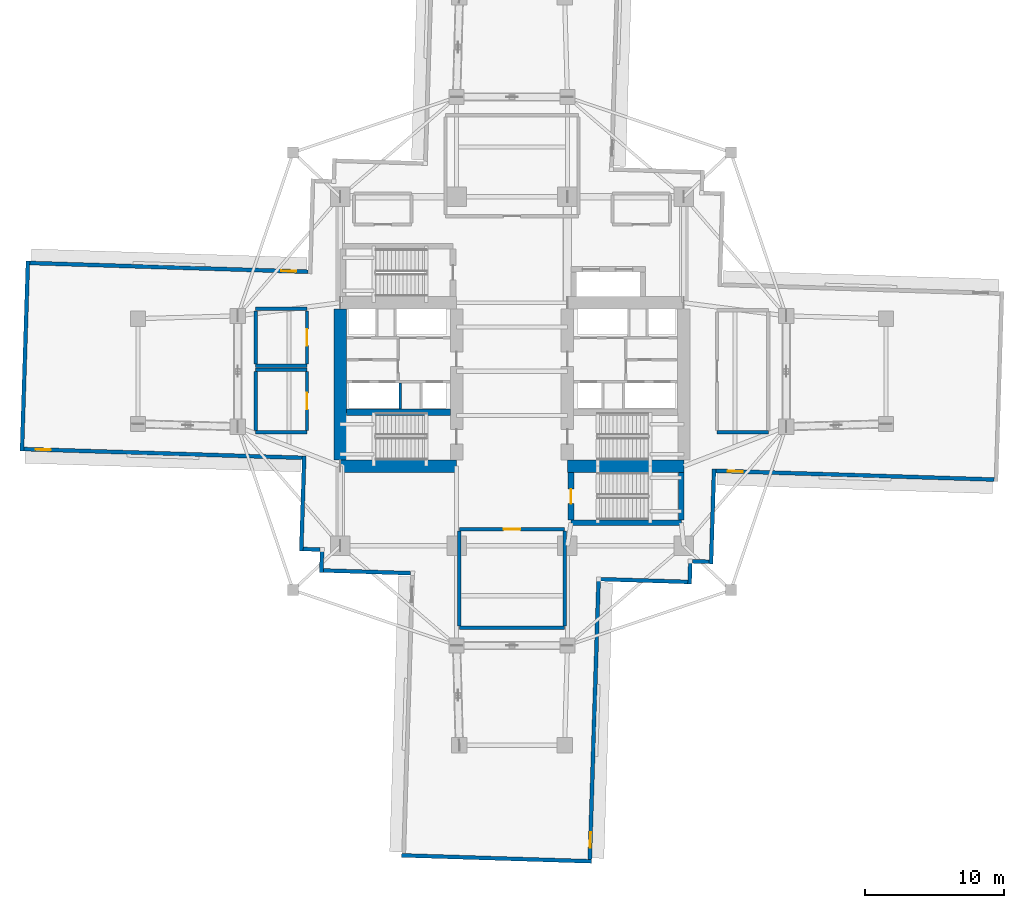
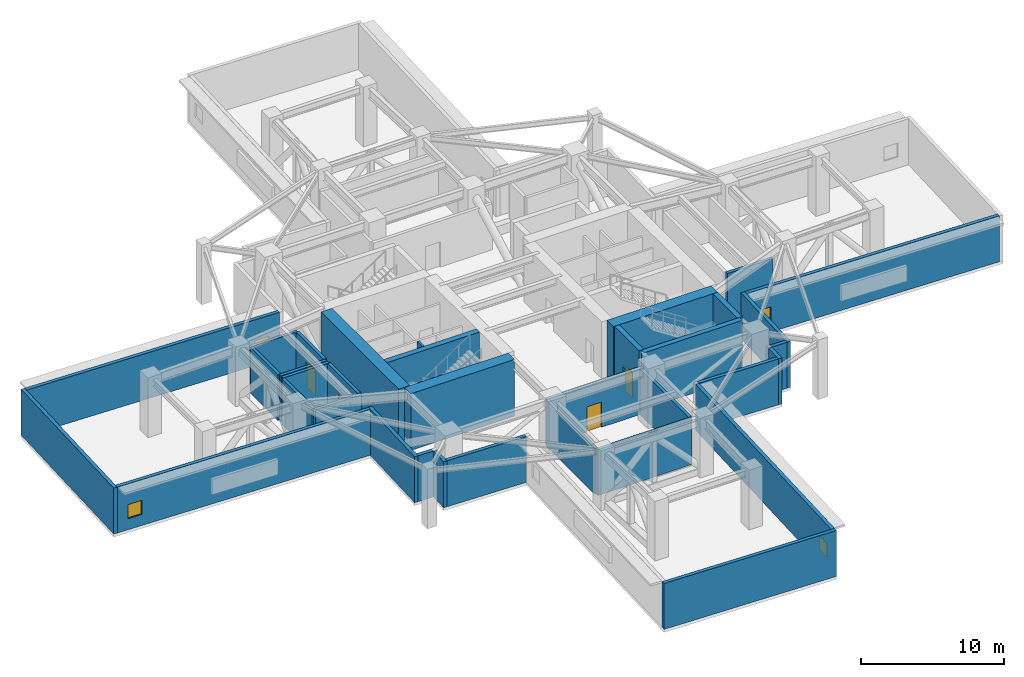
# One storey, part 9 of 17: 35 walls, 4 doors, 4 windows, 8 openings.
"""IFC4 building model written with IfcOpenShell, lengths in metres."""

from ifc_helpers import new_model, si_unit, direction, frame, frame_2d, origin, place, context, subcontext, project, spatial, rectangle, extrude, material, layer, layer_set, type_object, element, fill, save


model = new_model("IFC4")

# Units and contexts
model_context = context("Model", 3, precision=1e-05, world=origin(), true_north=direction((0.0, 1.0)))
body_context = subcontext(model_context, "Body", "Model", "MODEL_VIEW")
ifc_project = project(units=[si_unit("LENGTHUNIT", "METRE"), si_unit("AREAUNIT", "SQUARE_METRE"), si_unit("VOLUMEUNIT", "CUBIC_METRE"), si_unit("PLANEANGLEUNIT", "RADIAN"), si_unit("MASSUNIT", "GRAM", prefix="KILO")], contexts=[model_context])

# Site, building, storey
site_placement = place(None, origin())
site = spatial("IfcSite", under=ifc_project, at=site_placement, CompositionType="ELEMENT")
building_placement = place(site_placement, origin())
building = spatial("IfcBuilding", under=site, at=building_placement, Name="Qingluan Cross Belvedere", CompositionType="ELEMENT")
storey_placement = place(building_placement, frame((0.0, 0.0, 95.10009765625)))
storey = spatial("IfcBuildingStorey", under=building, at=storey_placement, Name="L24", CompositionType="ELEMENT", Elevation=95.10009765625)

# Walls
ifc_material_1 = material(Name="Concrete C50", Category="concrete")
ifc_layer_1 = layer(ifc_material_1, 0.449951171875, Name="CoreShearWall_450")
ifc_layer_set_1 = layer_set([ifc_layer_1], Name="Concrete C50")
wall_type_1 = type_object("IfcWallType", Name="CoreShearWall_450", PredefinedType="SHEAR", material=ifc_layer_set_1)
wall_1_placement = place(storey_placement, frame((-11.945068359375, -2.9599609375, 0.0), z_axis=(0.0, 0.0, 1.0), x_axis=(1.0, 0.0, 0.0)))
element("IfcWall", 1, at=wall_1_placement, inside=storey, type_object=wall_type_1, Name="Split core W shear wall L24-M", PredefinedType="SHEAR", context=body_context, shape_type="SweptSolid", body=[
    extrude(rectangle(XDim=7.489990234375, YDim=0.449951171875, at=frame_2d((3.7451171875, 0.0))), origin(), (0.0, 0.0, 1.0), 4.849853515625),
])
wall_2_placement = place(storey_placement, frame((4.260009765625, -10.93994140625, 0.0), z_axis=(0.0, 0.0, 1.0), x_axis=(1.0, 0.0, 0.0)))
element("IfcWall", 2, at=wall_2_placement, inside=storey, type_object=wall_type_1, Name="Stair ST4 structural wall S L24", PredefinedType="SHEAR", context=body_context, shape_type="SweptSolid", body=[
    extrude(rectangle(XDim=7.9599609375, YDim=0.39990234375, at=frame_2d((3.97998046875, 0.0))), origin(), (0.0, 0.0, 1.0), 4.849853515625),
])

# Wall, opening, door
wall_3_placement = place(storey_placement, frame((4.260009765625, -10.735107421875, 0.0), z_axis=(0.0, 0.0, 1.0), x_axis=(0.0, 1.0, 0.0)))
wall_3 = element("IfcWall", 3, at=wall_3_placement, inside=storey, type_object=wall_type_1, Name="Stair ST4 structural wall W L24", PredefinedType="SHEAR", context=body_context, shape_type="SweptSolid", body=[
    extrude(rectangle(XDim=3.43017578125, YDim=0.39990234375, at=frame_2d((1.715087890625, 0.0))), origin(), (0.0, 0.0, 1.0), 4.849853515625),
])
opening_1_placement = place(wall_3_placement, frame((1.18505859375, 0.0, 0.0)))
opening_1 = element("IfcOpeningElement", 4, at=opening_1_placement, cuts=wall_3, Name="Opening FD-B11", PredefinedType="OPENING", context=body_context, shape_type="SweptSolid", body=[
    extrude(rectangle(XDim=1.050048828125, YDim=2.14990234375, at=frame_2d((0.52490234375, 1.074951171875))), frame((0.0, 0.2099609375, 0.0), z_axis=(0.0, -1.0, 0.0), x_axis=(1.0, 0.0, 0.0)), (0.0, 0.0, 1.0), 0.419921875),
])
ifc_material_2 = material(Name="Steel Class B smoke-seal fire door", Category="steel")
door_type_1 = type_object("IfcDoorType", Name="StairLobbyFireDoor_FDB", OperationType="NOTDEFINED", PredefinedType="DOOR", material=ifc_material_2)
door_1_placement = place(opening_1_placement, origin())
door_1 = element("IfcDoor", 5, at=door_1_placement, inside=storey, type_object=door_type_1, Name="Smoke-proof stair ST4 fire door L24", OperationType="SINGLE_SWING_LEFT", OverallHeight=2.14990234375, OverallWidth=1.050048828125, PredefinedType="DOOR", context=body_context, shape_type="SweptSolid", body=[
    extrude(rectangle(XDim=1.050048828125, YDim=2.14990234375, at=frame_2d((0.52490234375, 1.074951171875))), frame((0.0, 0.02490234375, 0.0), z_axis=(0.0, -1.0, 0.0), x_axis=(1.0, 0.0, 0.0)), (0.0, 0.0, 1.0), 0.050048828125),
])
fill(opening_1, door_1)

# Walls
wall_4_placement = place(storey_placement, frame((12.219970703125, -10.735107421875, 0.0), z_axis=(0.0, 0.0, 1.0), x_axis=(0.0, 1.0, 0.0)))
element("IfcWall", 6, at=wall_4_placement, inside=storey, type_object=wall_type_1, Name="Stair ST4 structural wall E L24", PredefinedType="SHEAR", context=body_context, shape_type="SweptSolid", body=[
    extrude(rectangle(XDim=3.43017578125, YDim=0.39990234375, at=frame_2d((1.715087890625, 0.0))), origin(), (0.0, 0.0, 1.0), 4.849853515625),
])
ifc_material_3 = material(Name="Concrete C70", Category="concrete")
ifc_layer_2 = layer(ifc_material_3, 0.89990234375, Name="CoreShearWall_900")
ifc_layer_set_2 = layer_set([ifc_layer_2], Name="Concrete C70")
wall_type_2 = type_object("IfcWallType", Name="CoreShearWall_900", PredefinedType="SHEAR", material=ifc_layer_set_2)
wall_5_placement = place(storey_placement, frame((-12.39990234375, -6.85009765625, 0.0), z_axis=(0.0, 0.0, 1.0), x_axis=(1.0, 0.0, 0.0)))
element("IfcWall", 7, at=wall_5_placement, inside=storey, type_object=wall_type_2, Name="Split core W shear wall L24-S", PredefinedType="SHEAR", context=body_context, shape_type="SweptSolid", body=[
    extrude(rectangle(XDim=8.39990234375, YDim=0.89990234375, at=frame_2d((4.199951171875, 0.0))), origin(), (0.0, 0.0, 1.0), 4.849853515625),
])
wall_6_placement = place(storey_placement, frame((-12.39990234375, -6.39501953125, 0.0), z_axis=(0.0, 0.0, 1.0), x_axis=(0.0, 1.0, 0.0)))
element("IfcWall", 8, at=wall_6_placement, inside=storey, type_object=wall_type_2, Name="Split core W shear wall L24-W", PredefinedType="SHEAR", context=body_context, shape_type="SweptSolid", body=[
    extrude(rectangle(XDim=10.89013671875, YDim=0.89990234375, at=frame_2d((5.445068359375, 0.0))), origin(), (0.0, 0.0, 1.0), 4.849853515625),
])
wall_7_placement = place(storey_placement, frame((4.0, -6.85009765625, 0.0), z_axis=(0.0, 0.0, 1.0), x_axis=(1.0, 0.0, 0.0)))
element("IfcWall", 9, at=wall_7_placement, inside=storey, type_object=wall_type_2, Name="Split core E shear wall L24-S", PredefinedType="SHEAR", context=body_context, shape_type="SweptSolid", body=[
    extrude(rectangle(XDim=8.39990234375, YDim=0.89990234375, at=frame_2d((4.199951171875, 0.0))), origin(), (0.0, 0.0, 1.0), 4.849853515625),
])
ifc_material_4 = material(Name="Concrete C40", Category="concrete")
ifc_layer_3 = layer(ifc_material_4, 0.300048828125, Name="FireCompartmentWall_300")
ifc_layer_set_3 = layer_set([ifc_layer_3], Name="Concrete C40")
wall_type_3 = type_object("IfcWallType", Name="FireCompartmentWall_300", PredefinedType="SOLIDWALL", material=ifc_layer_set_3)
wall_8_placement = place(storey_placement, frame((-3.800048828125, -18.5, 0.0), z_axis=(0.0, 0.0, 1.0), x_axis=(1.0, 0.0, 0.0)))
element("IfcWall", 10, at=wall_8_placement, inside=storey, type_object=wall_type_3, Name="Partition L24:refuge_s:S", PredefinedType="SOLIDWALL", context=body_context, shape_type="SweptSolid", body=[
    extrude(rectangle(XDim=7.60009765625, YDim=0.25, at=frame_2d((3.800048828125, 0.0))), origin(), (0.0, 0.0, 1.0), 3.919921875),
])

# Wall, opening, door
wall_9_placement = place(storey_placement, frame((-3.800048828125, -11.39990234375, 0.0), z_axis=(0.0, 0.0, 1.0), x_axis=(1.0, 0.0, 0.0)))
wall_9 = element("IfcWall", 11, at=wall_9_placement, inside=storey, type_object=wall_type_3, Name="Partition L24:refuge_s:N", PredefinedType="SOLIDWALL", context=body_context, shape_type="SweptSolid", body=[
    extrude(rectangle(XDim=7.60009765625, YDim=0.25, at=frame_2d((3.800048828125, 0.0))), origin(), (0.0, 0.0, 1.0), 3.919921875),
])
opening_2_placement = place(wall_9_placement, frame((3.199951171875, 0.0, 0.0)))
opening_2 = element("IfcOpeningElement", 12, at=opening_2_placement, cuts=wall_9, Name="Opening FD-A12", PredefinedType="OPENING", context=body_context, shape_type="SweptSolid", body=[
    extrude(rectangle(XDim=1.199951171875, YDim=2.14990234375, at=frame_2d((0.60009765625, 1.074951171875))), frame((0.0, 0.135009765625, 0.0), z_axis=(0.0, -1.0, 0.0), x_axis=(1.0, 0.0, 0.0)), (0.0, 0.0, 1.0), 0.27001953125),
])
ifc_material_5 = material(Name="Insulated steel Class A fire door", Category="steel")
door_type_2 = type_object("IfcDoorType", Name="RefugeCompartmentDoor_FDA", OperationType="NOTDEFINED", PredefinedType="DOOR", material=ifc_material_5)
door_2_placement = place(opening_2_placement, origin())
door_2 = element("IfcDoor", 13, at=door_2_placement, inside=storey, type_object=door_type_2, Name="Fire refuge area South L24 door", OperationType="SINGLE_SWING_LEFT", OverallHeight=2.14990234375, OverallWidth=1.199951171875, PredefinedType="DOOR", context=body_context, shape_type="SweptSolid", body=[
    extrude(rectangle(XDim=1.199951171875, YDim=2.14990234375, at=frame_2d((0.60009765625, 1.074951171875))), frame((0.0, 0.02490234375, 0.0), z_axis=(0.0, -1.0, 0.0), x_axis=(1.0, 0.0, 0.0)), (0.0, 0.0, 1.0), 0.050048828125),
])
fill(opening_2, door_2)

# Walls
for number, where, z_axis, x_axis, name in (
    (14, (-3.800048828125, -18.3701171875, 0.0), (0.0, 0.0, 1.0), (0.0, 1.0, 0.0), "Partition L24:refuge_s:W"),
    (15, (3.800048828125, -18.3701171875, 0.0), (0.0, 0.0, 1.0), (0.0, 1.0, 0.0), "Partition L24:refuge_s:E"),
):
    element("IfcWall", number, at=place(storey_placement, frame(where, z_axis=z_axis, x_axis=x_axis)), inside=storey, type_object=wall_type_3, Name=name, PredefinedType="SOLIDWALL", context=body_context, shape_type="SweptSolid", body=[
        extrude(rectangle(XDim=6.840087890625, YDim=0.25, at=frame_2d((3.419921875, 0.0))), origin(), (0.0, 0.0, 1.0), 3.919921875),
    ])
for number, where, z_axis, x_axis, name in (
    (16, (14.800048828125, -4.39990234375, 0.0), (0.0, 0.0, 1.0), (1.0, 0.0, 0.0), "Partition L24:ahu_plant:S"),
    (17, (-18.5, -4.39990234375, 0.0), (0.0, 0.0, 1.0), (1.0, 0.0, 0.0), "Partition L24:elec_plant:S"),
    (18, (-18.5, 0.10009765625, 0.0), (0.0, 0.0, 1.0), (1.0, 0.0, 0.0), "Partition L24:elec_plant:N"),
):
    element("IfcWall", number, at=place(storey_placement, frame(where, z_axis=z_axis, x_axis=x_axis)), inside=storey, type_object=wall_type_3, Name=name, PredefinedType="SOLIDWALL", context=body_context, shape_type="SweptSolid", body=[
        extrude(rectangle(XDim=3.699951171875, YDim=0.25, at=frame_2d((1.85009765625, 0.0))), origin(), (0.0, 0.0, 1.0), 3.919921875),
    ])
wall_10_placement = place(storey_placement, frame((-18.5, -4.27001953125, 0.0), z_axis=(0.0, 0.0, 1.0), x_axis=(0.0, 1.0, 0.0)))
element("IfcWall", 19, at=wall_10_placement, inside=storey, type_object=wall_type_3, Name="Partition L24:elec_plant:W", PredefinedType="SOLIDWALL", context=body_context, shape_type="SweptSolid", body=[
    extrude(rectangle(XDim=4.239990234375, YDim=0.25, at=frame_2d((2.1201171875, 0.0))), origin(), (0.0, 0.0, 1.0), 3.919921875),
])

# Wall, opening, door
wall_11_placement = place(storey_placement, frame((-14.800048828125, -4.27001953125, 0.0), z_axis=(0.0, 0.0, 1.0), x_axis=(0.0, 1.0, 0.0)))
wall_11 = element("IfcWall", 20, at=wall_11_placement, inside=storey, type_object=wall_type_3, Name="Partition L24:elec_plant:E", PredefinedType="SOLIDWALL", context=body_context, shape_type="SweptSolid", body=[
    extrude(rectangle(XDim=4.239990234375, YDim=0.25, at=frame_2d((2.1201171875, 0.0))), origin(), (0.0, 0.0, 1.0), 3.919921875),
])
opening_3_placement = place(wall_11_placement, frame((1.52001953125, 0.0, 0.0)))
opening_3 = element("IfcOpeningElement", 21, at=opening_3_placement, cuts=wall_11, Name="Opening FD-A12", PredefinedType="OPENING", context=body_context, shape_type="SweptSolid", body=[
    extrude(rectangle(XDim=1.199951171875, YDim=2.14990234375, at=frame_2d((0.60009765625, 1.074951171875))), frame((0.0, 0.135009765625, 0.0), z_axis=(0.0, -1.0, 0.0), x_axis=(1.0, 0.0, 0.0)), (0.0, 0.0, 1.0), 0.27001953125),
])
door_3_placement = place(opening_3_placement, origin())
door_3 = element("IfcDoor", 22, at=door_3_placement, inside=storey, type_object=door_type_2, Name="Electrical transformer and switchgear room L24 door", OperationType="SINGLE_SWING_RIGHT", OverallHeight=2.14990234375, OverallWidth=1.199951171875, PredefinedType="DOOR", context=body_context, shape_type="SweptSolid", body=[
    extrude(rectangle(XDim=1.199951171875, YDim=2.14990234375, at=frame_2d((0.60009765625, 1.074951171875))), frame((0.0, 0.02490234375, 0.0), z_axis=(0.0, -1.0, 0.0), x_axis=(1.0, 0.0, 0.0)), (0.0, 0.0, 1.0), 0.050048828125),
])
fill(opening_3, door_3)

# Walls
for number, where, z_axis, x_axis, name in (
    (23, (-18.5, 0.39990234375, 0.0), (0.0, 0.0, 1.0), (1.0, 0.0, 0.0), "Partition L24:water_plant:S"),
    (24, (-18.5, 4.5, 0.0), (0.0, 0.0, 1.0), (1.0, 0.0, 0.0), "Partition L24:water_plant:N"),
):
    element("IfcWall", number, at=place(storey_placement, frame(where, z_axis=z_axis, x_axis=x_axis)), inside=storey, type_object=wall_type_3, Name=name, PredefinedType="SOLIDWALL", context=body_context, shape_type="SweptSolid", body=[
        extrude(rectangle(XDim=3.699951171875, YDim=0.25, at=frame_2d((1.85009765625, 0.0))), origin(), (0.0, 0.0, 1.0), 3.919921875),
    ])
wall_12_placement = place(storey_placement, frame((-18.5, 0.530029296875, 0.0), z_axis=(0.0, 0.0, 1.0), x_axis=(0.0, 1.0, 0.0)))
element("IfcWall", 25, at=wall_12_placement, inside=storey, type_object=wall_type_3, Name="Partition L24:water_plant:W", PredefinedType="SOLIDWALL", context=body_context, shape_type="SweptSolid", body=[
    extrude(rectangle(XDim=3.840087890625, YDim=0.25, at=frame_2d((1.919921875, 0.0))), origin(), (0.0, 0.0, 1.0), 3.919921875),
])

# Wall, opening, door
wall_13_placement = place(storey_placement, frame((-14.800048828125, 0.530029296875, 0.0), z_axis=(0.0, 0.0, 1.0), x_axis=(0.0, 1.0, 0.0)))
wall_13 = element("IfcWall", 26, at=wall_13_placement, inside=storey, type_object=wall_type_3, Name="Partition L24:water_plant:E", PredefinedType="SOLIDWALL", context=body_context, shape_type="SweptSolid", body=[
    extrude(rectangle(XDim=3.840087890625, YDim=0.25, at=frame_2d((1.919921875, 0.0))), origin(), (0.0, 0.0, 1.0), 3.919921875),
])
opening_4_placement = place(wall_13_placement, frame((1.320068359375, 0.0, 0.0)))
opening_4 = element("IfcOpeningElement", 27, at=opening_4_placement, cuts=wall_13, Name="Opening FD-A12", PredefinedType="OPENING", context=body_context, shape_type="SweptSolid", body=[
    extrude(rectangle(XDim=1.199951171875, YDim=2.14990234375, at=frame_2d((0.60009765625, 1.074951171875))), frame((0.0, 0.135009765625, 0.0), z_axis=(0.0, -1.0, 0.0), x_axis=(1.0, 0.0, 0.0)), (0.0, 0.0, 1.0), 0.27001953125),
])
door_4_placement = place(opening_4_placement, origin())
door_4 = element("IfcDoor", 28, at=door_4_placement, inside=storey, type_object=door_type_2, Name="Fire booster pump and transfer water tank room L24 door", OperationType="SINGLE_SWING_LEFT", OverallHeight=2.14990234375, OverallWidth=1.199951171875, PredefinedType="DOOR", context=body_context, shape_type="SweptSolid", body=[
    extrude(rectangle(XDim=1.199951171875, YDim=2.14990234375, at=frame_2d((0.60009765625, 1.074951171875))), frame((0.0, 0.02490234375, 0.0), z_axis=(0.0, -1.0, 0.0), x_axis=(1.0, 0.0, 0.0)), (0.0, 0.0, 1.0), 0.050048828125),
])
fill(opening_4, door_4)

# Wall, opening, window
ifc_material_6 = material(Name="Precast concrete C45", Category="concrete")
ifc_layer_4 = layer(ifc_material_6, 0.280029296875, Name="PrecastFacadeWall_280")
ifc_layer_set_4 = layer_set([ifc_layer_4], Name="Precast concrete C45")
wall_type_4 = type_object("IfcWallType", Name="PrecastFacadeWall_280", PredefinedType="STANDARD", material=ifc_layer_set_4)
wall_14_placement = place(storey_placement, frame((14.721435546875, -7.18603515625, 0.0), z_axis=(0.0, 0.0, 1.0), x_axis=(0.999506574096, -0.031410322165, 0.0)))
wall_14 = element("IfcWall", 29, at=wall_14_placement, inside=storey, type_object=wall_type_4, Name="Facade wall L24-EA", PredefinedType="STANDARD", context=body_context, shape_type="SweptSolid", body=[
    extrude(rectangle(XDim=20.10009765625, YDim=0.280029296875, at=frame_2d((10.050048828125, 0.0))), origin(), (0.0, 0.0, 1.0), 3.929931640625),
])
opening_5_placement = place(wall_14_placement, frame((0.85009765625, 0.0, 0.949951171875)))
opening_5 = element("IfcOpeningElement", 30, at=opening_5_placement, cuts=wall_14, Name="Opening W-07", PredefinedType="OPENING", context=body_context, shape_type="SweptSolid", body=[
    extrude(rectangle(XDim=1.10009765625, YDim=1.199951171875, at=frame_2d((0.550048828125, 0.60009765625))), frame((0.0, 0.14990234375, 0.0), z_axis=(0.0, -1.0, 0.0), x_axis=(1.0, 0.0, 0.0)), (0.0, 0.0, 1.0), 0.300048828125),
])
ifc_material_7 = material(Name="Thermally broken triple Low-E glass in aluminium frame", Category="aluminium")
window_type = type_object("IfcWindowType", Name="RefugeSmokeWin_1100x1200", PartitioningType="SINGLE_PANEL", PredefinedType="WINDOW", material=ifc_material_7)
window_1_placement = place(opening_5_placement, origin())
window_1 = element("IfcWindow", 31, at=window_1_placement, inside=storey, type_object=window_type, Name="Refuge operable smoke window L24-EA", OverallHeight=1.199951171875, OverallWidth=1.10009765625, PartitioningType="SINGLE_PANEL", PredefinedType="WINDOW", context=body_context, shape_type="SweptSolid", body=[
    extrude(rectangle(XDim=1.10009765625, YDim=1.199951171875, at=frame_2d((0.550048828125, 0.60009765625))), frame((0.0, 0.030029296875, 0.0), z_axis=(0.0, -1.0, 0.0), x_axis=(1.0, 0.0, 0.0)), (0.0, 0.0, 1.0), 0.06005859375),
])
fill(opening_5, window_1)

wall_15_placement = place(storey_placement, frame((-14.721435546875, 7.18603515625, 0.0), z_axis=(0.0, 0.0, 1.0), x_axis=(-0.999506574096, 0.031410322165, 0.0)))
wall_15 = element("IfcWall", 32, at=wall_15_placement, inside=storey, type_object=wall_type_4, Name="Facade wall L24-WA", PredefinedType="STANDARD", context=body_context, shape_type="SweptSolid", body=[
    extrude(rectangle(XDim=20.10009765625, YDim=0.280029296875, at=frame_2d((10.050048828125, 0.0))), origin(), (0.0, 0.0, 1.0), 3.929931640625),
])
opening_6_placement = place(wall_15_placement, frame((0.85009765625, 0.0, 0.949951171875)))
opening_6 = element("IfcOpeningElement", 33, at=opening_6_placement, cuts=wall_15, Name="Opening W-07", PredefinedType="OPENING", context=body_context, shape_type="SweptSolid", body=[
    extrude(rectangle(XDim=1.10009765625, YDim=1.199951171875, at=frame_2d((0.550048828125, 0.60009765625))), frame((0.0, 0.14990234375, 0.0), z_axis=(0.0, -1.0, 0.0), x_axis=(1.0, 0.0, 0.0)), (0.0, 0.0, 1.0), 0.300048828125),
])
window_2_placement = place(opening_6_placement, origin())
window_2 = element("IfcWindow", 34, at=window_2_placement, inside=storey, type_object=window_type, Name="Refuge operable smoke window L24-WA", OverallHeight=1.199951171875, OverallWidth=1.10009765625, PartitioningType="SINGLE_PANEL", PredefinedType="WINDOW", context=body_context, shape_type="SweptSolid", body=[
    extrude(rectangle(XDim=1.10009765625, YDim=1.199951171875, at=frame_2d((0.550048828125, 0.60009765625))), frame((0.0, 0.030029296875, 0.0), z_axis=(0.0, -1.0, 0.0), x_axis=(1.0, 0.0, 0.0)), (0.0, 0.0, 1.0), 0.06005859375),
])
fill(opening_6, window_2)

wall_16_placement = place(storey_placement, frame((-35.23388671875, -5.6162109375, 0.0), z_axis=(0.0, 0.0, 1.0), x_axis=(0.999506955354, -0.031398187845, 0.0)))
wall_16 = element("IfcWall", 35, at=wall_16_placement, inside=storey, type_object=wall_type_4, Name="Facade wall L24-WB", PredefinedType="STANDARD", context=body_context, shape_type="SweptSolid", body=[
    extrude(rectangle(XDim=20.10009765625, YDim=0.280029296875, at=frame_2d((10.050048828125, 0.0))), origin(), (0.0, 0.0, 1.0), 3.929931640625),
])
opening_7_placement = place(wall_16_placement, frame((0.85009765625, 0.0, 0.949951171875)))
opening_7 = element("IfcOpeningElement", 36, at=opening_7_placement, cuts=wall_16, Name="Opening W-07", PredefinedType="OPENING", context=body_context, shape_type="SweptSolid", body=[
    extrude(rectangle(XDim=1.10009765625, YDim=1.199951171875, at=frame_2d((0.550048828125, 0.60009765625))), frame((0.0, 0.14990234375, 0.0), z_axis=(0.0, -1.0, 0.0), x_axis=(1.0, 0.0, 0.0)), (0.0, 0.0, 1.0), 0.300048828125),
])
window_3_placement = place(opening_7_placement, origin())
window_3 = element("IfcWindow", 37, at=window_3_placement, inside=storey, type_object=window_type, Name="Refuge operable smoke window L24-WB", OverallHeight=1.199951171875, OverallWidth=1.10009765625, PartitioningType="SINGLE_PANEL", PredefinedType="WINDOW", context=body_context, shape_type="SweptSolid", body=[
    extrude(rectangle(XDim=1.10009765625, YDim=1.199951171875, at=frame_2d((0.550048828125, 0.60009765625))), frame((0.0, 0.030029296875, 0.0), z_axis=(0.0, -1.0, 0.0), x_axis=(1.0, 0.0, 0.0)), (0.0, 0.0, 1.0), 0.06005859375),
])
fill(opening_7, window_3)

# Wall
wall_17_placement = place(storey_placement, frame((-34.947265625, 7.961669921875, 0.0), z_axis=(0.0, 0.0, 1.0), x_axis=(-0.031406966164, -0.999506679556, 0.0)))
element("IfcWall", 38, at=wall_17_placement, inside=storey, type_object=wall_type_4, Name="Arm tip precast facade wall L24-W", PredefinedType="STANDARD", context=body_context, shape_type="SweptSolid", body=[
    extrude(rectangle(XDim=13.72021484375, YDim=0.280029296875, at=frame_2d((6.860107421875, 0.0))), origin(), (0.0, 0.0, 1.0), 3.929931640625),
])

# Wall, opening, window
wall_18_placement = place(storey_placement, frame((5.6162109375, -35.23388671875, 0.0), z_axis=(0.0, 0.0, 1.0), x_axis=(0.031398187845, 0.999506955354, 0.0)))
wall_18 = element("IfcWall", 39, at=wall_18_placement, inside=storey, type_object=wall_type_4, Name="Facade wall L24-SB", PredefinedType="STANDARD", context=body_context, shape_type="SweptSolid", body=[
    extrude(rectangle(XDim=20.10009765625, YDim=0.280029296875, at=frame_2d((10.050048828125, 0.0))), origin(), (0.0, 0.0, 1.0), 3.929931640625),
])
opening_8_placement = place(wall_18_placement, frame((0.85009765625, 0.0, 0.949951171875)))
opening_8 = element("IfcOpeningElement", 40, at=opening_8_placement, cuts=wall_18, Name="Opening W-07", PredefinedType="OPENING", context=body_context, shape_type="SweptSolid", body=[
    extrude(rectangle(XDim=1.10009765625, YDim=1.199951171875, at=frame_2d((0.550048828125, 0.60009765625))), frame((0.0, 0.14990234375, 0.0), z_axis=(0.0, -1.0, 0.0), x_axis=(1.0, 0.0, 0.0)), (0.0, 0.0, 1.0), 0.300048828125),
])
window_4_placement = place(opening_8_placement, origin())
window_4 = element("IfcWindow", 41, at=window_4_placement, inside=storey, type_object=window_type, Name="Refuge operable smoke window L24-SB", OverallHeight=1.199951171875, OverallWidth=1.10009765625, PartitioningType="SINGLE_PANEL", PredefinedType="WINDOW", context=body_context, shape_type="SweptSolid", body=[
    extrude(rectangle(XDim=1.10009765625, YDim=1.199951171875, at=frame_2d((0.550048828125, 0.60009765625))), frame((0.0, 0.030029296875, 0.0), z_axis=(0.0, -1.0, 0.0), x_axis=(1.0, 0.0, 0.0)), (0.0, 0.0, 1.0), 0.06005859375),
])
fill(opening_8, window_4)

# Walls
wall_19_placement = place(storey_placement, frame((-7.961669921875, -34.947265625, 0.0), z_axis=(0.0, 0.0, 1.0), x_axis=(0.999506679556, -0.031406966164, 0.0)))
element("IfcWall", 42, at=wall_19_placement, inside=storey, type_object=wall_type_4, Name="Arm tip precast facade wall L24-S", PredefinedType="STANDARD", context=body_context, shape_type="SweptSolid", body=[
    extrude(rectangle(XDim=13.72021484375, YDim=0.280029296875, at=frame_2d((6.860107421875, 0.0))), origin(), (0.0, 0.0, 1.0), 3.929931640625),
])
wall_20_placement = place(storey_placement, frame((-14.99951171875, -6.11181640625, 0.0), z_axis=(0.0, 0.0, 1.0), x_axis=(-0.031389189386, -0.999507237988, 0.0)))
element("IfcWall", 43, at=wall_20_placement, inside=storey, type_object=wall_type_4, Name="Corner wall L24-SW1", PredefinedType="STANDARD", context=body_context, shape_type="SweptSolid", body=[
    extrude(rectangle(XDim=6.860107421875, YDim=0.280029296875, at=frame_2d((3.43017578125, 0.0))), origin(), (0.0, 0.0, 1.0), 3.929931640625),
])
wall_21_placement = place(storey_placement, frame((-15.070556640625, -12.8330078125, 0.0), z_axis=(0.0, 0.0, 1.0), x_axis=(0.999506398264, -0.031415916822, 0.0)))
element("IfcWall", 44, at=wall_21_placement, inside=storey, type_object=wall_type_4, Name="Corner wall L24-SW2", PredefinedType="STANDARD", context=body_context, shape_type="SweptSolid", body=[
    extrude(rectangle(XDim=1.219970703125, YDim=0.280029296875, at=frame_2d((0.60986328125, 0.0))), origin(), (0.0, 0.0, 1.0), 3.929931640625),
])
wall_22_placement = place(storey_placement, frame((-13.715576171875, -13.015625, 0.0), z_axis=(0.0, 0.0, 1.0), x_axis=(-0.031412596484, -0.999506502621, 0.0)))
element("IfcWall", 45, at=wall_22_placement, inside=storey, type_object=wall_type_4, Name="Corner wall L24-SW3", PredefinedType="STANDARD", context=body_context, shape_type="SweptSolid", body=[
    extrude(rectangle(XDim=1.5, YDim=0.280029296875, at=frame_2d((0.75, 0.0))), origin(), (0.0, 0.0, 1.0), 3.929931640625),
])
wall_23_placement = place(storey_placement, frame((-13.618408203125, -14.37939453125, 0.0), z_axis=(0.0, 0.0, 1.0), x_axis=(0.999507224741, -0.031389611199, 0.0)))
element("IfcWall", 46, at=wall_23_placement, inside=storey, type_object=wall_type_4, Name="Corner wall L24-SW4", PredefinedType="STANDARD", context=body_context, shape_type="SweptSolid", body=[
    extrude(rectangle(XDim=6.300048828125, YDim=0.280029296875, at=frame_2d((3.14990234375, 0.0))), origin(), (0.0, 0.0, 1.0), 3.929931640625),
])
wall_24_placement = place(storey_placement, frame((14.5859375, -7.04150390625, 0.0), z_axis=(0.0, 0.0, 1.0), x_axis=(-0.031389189386, -0.999507237988, 0.0)))
element("IfcWall", 47, at=wall_24_placement, inside=storey, type_object=wall_type_4, Name="Corner wall L24-SE1", PredefinedType="STANDARD", context=body_context, shape_type="SweptSolid", body=[
    extrude(rectangle(XDim=6.860107421875, YDim=0.280029296875, at=frame_2d((3.43017578125, 0.0))), origin(), (0.0, 0.0, 1.0), 3.929931640625),
])
wall_25_placement = place(storey_placement, frame((14.235107421875, -13.75390625, 0.0), z_axis=(0.0, 0.0, 1.0), x_axis=(-0.999506398264, 0.031415916822, 0.0)))
element("IfcWall", 48, at=wall_25_placement, inside=storey, type_object=wall_type_4, Name="Corner wall L24-SE2", PredefinedType="STANDARD", context=body_context, shape_type="SweptSolid", body=[
    extrude(rectangle(XDim=1.219970703125, YDim=0.280029296875, at=frame_2d((0.60986328125, 0.0))), origin(), (0.0, 0.0, 1.0), 3.929931640625),
])
wall_26_placement = place(storey_placement, frame((12.871337890625, -13.85107421875, 0.0), z_axis=(0.0, 0.0, 1.0), x_axis=(-0.031412596484, -0.999506502621, 0.0)))
element("IfcWall", 49, at=wall_26_placement, inside=storey, type_object=wall_type_4, Name="Corner wall L24-SE3", PredefinedType="STANDARD", context=body_context, shape_type="SweptSolid", body=[
    extrude(rectangle(XDim=1.5, YDim=0.280029296875, at=frame_2d((0.75, 0.0))), origin(), (0.0, 0.0, 1.0), 3.929931640625),
])
wall_27_placement = place(storey_placement, frame((12.688720703125, -15.2060546875, 0.0), z_axis=(0.0, 0.0, 1.0), x_axis=(-0.999507262922, 0.031388395416, 0.0)))
element("IfcWall", 50, at=wall_27_placement, inside=storey, type_object=wall_type_4, Name="Corner wall L24-SE4", PredefinedType="STANDARD", context=body_context, shape_type="SweptSolid", body=[
    extrude(rectangle(XDim=6.30029296875, YDim=0.280029296875, at=frame_2d((3.150146484375, 0.0))), origin(), (0.0, 0.0, 1.0), 3.929931640625),
])
ifc_material_8 = material(Name="Concrete C40", Category="concrete")
ifc_layer_5 = layer(ifc_material_8, 0.219970703125, Name="ShaftEnclosureWall_250")
ifc_layer_set_5 = layer_set([ifc_layer_5], Name="Concrete C40")
wall_type_5 = type_object("IfcWallType", Name="ShaftEnclosureWall_250", PredefinedType="SOLIDWALL", material=ifc_layer_set_5)
wall_28_placement = place(storey_placement, frame((-8.06005859375, -2.72998046875, 0.0), z_axis=(0.0, 0.0, 1.0), x_axis=(0.0, 1.0, 0.0)))
element("IfcWall", 51, at=wall_28_placement, inside=storey, type_object=wall_type_5, Name="Hoistway enclosure divider LP6E L24", PredefinedType="SOLIDWALL", context=body_context, shape_type="SweptSolid", body=[
    extrude(rectangle(XDim=1.889892578125, YDim=0.179931640625, at=frame_2d((0.94482421875, 0.0))), origin(), (0.0, 0.0, 1.0), 3.919921875),
])

save(model, "model.ifc")
